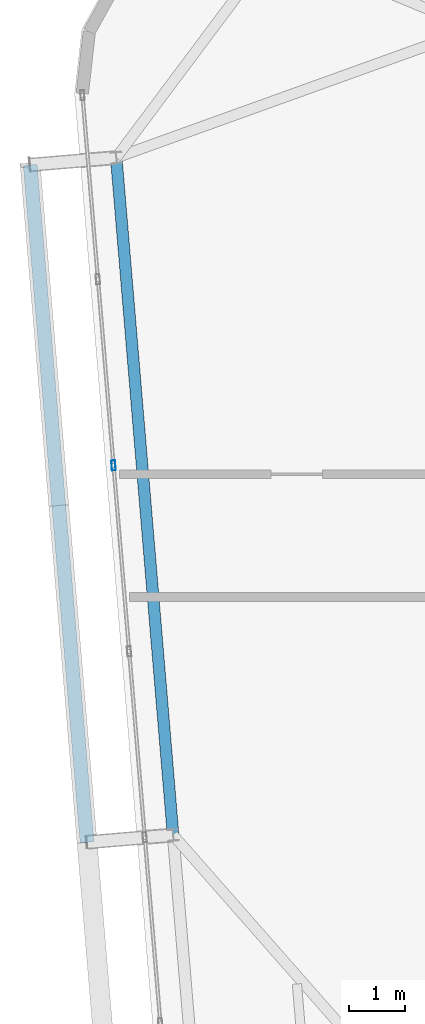
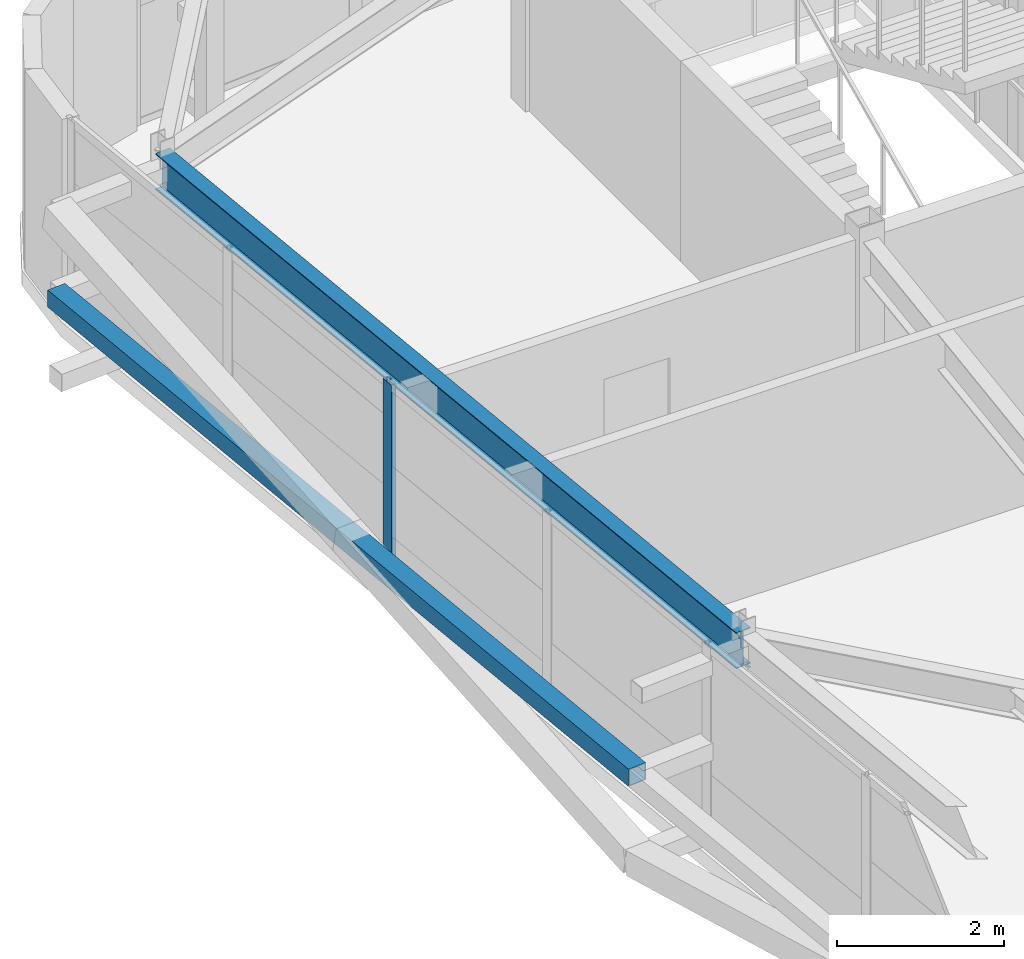
# One storey, part 15 of 46: 2 members, 1 beam, 1 element without a shape of its own.
"""IFC4 building model written with IfcOpenShell, lengths in metres."""

import ifcopenshell
import ifcopenshell.guid

model = None  # the IFC model being written
_history = None  # IfcOwnerHistory: only IFC2X3 demands one
_inside = {}  # id of a spatial element -> (the spatial element, [elements in it])
_under = {}  # id of a project, library or spatial element -> (it, [spatial elements below it])
_declared = {}  # id of a project -> (the project, [libraries it declares])
_typed = {}  # id of a type object -> (the type object, [elements of that type])
_made_of = {}  # id of a material, layer set ... -> (it, [elements and type objects made of it])


def new_model(schema):
    """Start an empty IFC model of exactly this schema.

    Asked for "IFC4X3", IfcOpenShell would pick the latest addendum, in which some entities
    have other attributes; the version numbers below select the first issue.
    IFC2X3 requires an IfcOwnerHistory on every rooted entity: one is made here for all.
    """
    global model, _history
    if schema == "IFC4X3":
        model = ifcopenshell.file(schema_version=(4, 3, 0, 0))
    else:
        model = ifcopenshell.file(schema=schema)
    _inside.clear()
    _under.clear()
    _declared.clear()
    _typed.clear()
    _made_of.clear()
    _history = None
    if model.schema == "IFC2X3":
        org = make("IfcOrganization", Name="unknown")
        user = make(
            "IfcPersonAndOrganization",
            ThePerson=make("IfcPerson", FamilyName="unknown"),
            TheOrganization=org,
        )
        app = make(
            "IfcApplication",
            ApplicationDeveloper=org,
            Version="unknown",
            ApplicationFullName="unknown",
            ApplicationIdentifier="unknown",
        )
        _history = make(
            "IfcOwnerHistory",
            OwningUser=user,
            OwningApplication=app,
            ChangeAction="ADDED",
            CreationDate=0,
        )
    return model


def make(cls, **values):
    """One entity of the class cls with the attributes given. An attribute that is None is left unset."""
    return model.create_entity(
        cls, **{name: value for name, value in values.items() if value is not None}
    )


def rooted(cls, **values):
    """An entity with a GlobalId (a new one), such as an element, a storey or a relation."""
    return make(cls, GlobalId=ifcopenshell.guid.new(), OwnerHistory=_history, **values)


def si_unit(unit_type, name, prefix=None):
    """IfcSIUnit, for example si_unit("LENGTHUNIT", "METRE", prefix="MILLI")."""
    return make("IfcSIUnit", UnitType=unit_type, Prefix=prefix, Name=name)


def assignment(units):
    """IfcUnitAssignment: the units of a project."""
    return None if units is None else make("IfcUnitAssignment", Units=units)


def point(xyz):
    """IfcCartesianPoint."""
    return None if xyz is None else make("IfcCartesianPoint", Coordinates=xyz)


def direction(xyz):
    """IfcDirection."""
    return None if xyz is None else make("IfcDirection", DirectionRatios=xyz)


def frame(location, z_axis=None, x_axis=None):
    """IfcAxis2Placement3D, a coordinate frame: its origin and axes. An axis left out is left unset."""
    return make(
        "IfcAxis2Placement3D",
        Location=point(location),
        Axis=direction(z_axis),
        RefDirection=direction(x_axis),
    )


def frame_2d(location, x_axis=None):
    """IfcAxis2Placement2D, a coordinate frame in the plane: its origin and x axis."""
    return make(
        "IfcAxis2Placement2D", Location=point(location), RefDirection=direction(x_axis)
    )


def origin():
    """The frame at (0, 0, 0) with its axes left unset."""
    return frame((0.0, 0.0, 0.0))


def origin_2d():
    """The frame at (0, 0) in the plane with its x axis left unset."""
    return frame_2d((0.0, 0.0))


def place(relative_to, where):
    """IfcLocalPlacement: puts the frame where relative to a parent placement (None: the world)."""
    return make(
        "IfcLocalPlacement", PlacementRelTo=relative_to, RelativePlacement=where
    )


def context(
    kind, dimensions, precision=None, world=None, true_north=None, identifier=None
):
    """IfcGeometricRepresentationContext, for example the 3D "Model" context."""
    return make(
        "IfcGeometricRepresentationContext",
        ContextIdentifier=identifier,
        ContextType=kind,
        CoordinateSpaceDimension=dimensions,
        Precision=precision,
        WorldCoordinateSystem=world,
        TrueNorth=true_north,
    )


def subcontext(parent, identifier, kind, view, scale=None):
    """IfcGeometricRepresentationSubContext, for example "Body" below "Model"."""
    return make(
        "IfcGeometricRepresentationSubContext",
        ContextIdentifier=identifier,
        ContextType=kind,
        ParentContext=parent,
        TargetScale=scale,
        TargetView=view,
    )


def project(units=None, contexts=None):
    """IfcProject with its units and contexts."""
    return rooted(
        "IfcProject",
        Name="project",
        RepresentationContexts=contexts,
        UnitsInContext=assignment(units),
    )


def spatial(cls, under=None, at=None, **own):
    """A site, building, storey or space (cls), placed at a placement, below another one or the project."""
    s = rooted(cls, ObjectPlacement=at, **own)
    if under is not None:
        _under.setdefault(under.id(), (under, []))[1].append(s)
    return s


def profile(cls, at=None, kind="AREA", **sizes):
    """A parametric profile (cls). Its sizes go by their IFC names, for example OverallWidth=200.0."""
    return make(cls, ProfileType=kind, Position=at, **sizes)


def hollow_rectangle(**sizes):
    """IfcRectangleHollowProfileDef."""
    return profile("IfcRectangleHollowProfileDef", **sizes)


def i_section(**sizes):
    """IfcIShapeProfileDef."""
    return profile("IfcIShapeProfileDef", **sizes)


def extrude(swept, where, along, depth):
    """IfcExtrudedAreaSolid: the profile swept, set in the frame where, extruded along a direction by depth."""
    return make(
        "IfcExtrudedAreaSolid",
        SweptArea=swept,
        Position=where,
        ExtrudedDirection=direction(along),
        Depth=depth,
    )


def shape(context_of_items, identifier, shape_type, items):
    """IfcShapeRepresentation: the items that make up one representation, for example the "Body"."""
    return make(
        "IfcShapeRepresentation",
        ContextOfItems=context_of_items,
        RepresentationIdentifier=identifier,
        RepresentationType=shape_type,
        Items=items,
    )


def source(mapping_origin, context_of_items, identifier, shape_type, items):
    """IfcRepresentationMap: a shape defined once, which mapped items show again and again."""
    return make(
        "IfcRepresentationMap",
        MappingOrigin=mapping_origin,
        MappedRepresentation=shape(context_of_items, identifier, shape_type, items),
    )


def transform(
    local_origin,
    x_axis=None,
    y_axis=None,
    z_axis=None,
    scale=None,
    scale2=None,
    scale3=None,
    uniform=True,
):
    """IfcCartesianTransformationOperator3D, or its non-uniform kind. x_axis, y_axis, z_axis: its Axis1, 2, 3."""
    if uniform:
        return make(
            "IfcCartesianTransformationOperator3D",
            Axis1=direction(x_axis),
            Axis2=direction(y_axis),
            LocalOrigin=point(local_origin),
            Scale=scale,
            Axis3=direction(z_axis),
        )
    return make(
        "IfcCartesianTransformationOperator3DnonUniform",
        Axis1=direction(x_axis),
        Axis2=direction(y_axis),
        LocalOrigin=point(local_origin),
        Scale=scale,
        Axis3=direction(z_axis),
        Scale2=scale2,
        Scale3=scale3,
    )


def mapped(mapping_source, mapping_target):
    """IfcMappedItem: shows the shape of a source again, moved by a transform."""
    return make(
        "IfcMappedItem", MappingSource=mapping_source, MappingTarget=mapping_target
    )


def material(Name=None, Category=None):
    """IfcMaterial."""
    return make("IfcMaterial", Name=Name, Category=Category)


def layer(
    of_material, thickness, ventilated=None, Name=None, Category=None, Priority=None
):
    """IfcMaterialLayer: one layer of a wall or slab, of a material (None: an air gap)."""
    return make(
        "IfcMaterialLayer",
        Material=of_material,
        LayerThickness=thickness,
        IsVentilated=ventilated,
        Name=Name,
        Category=Category,
        Priority=Priority,
    )


def layer_set(layers, Name=None):
    """IfcMaterialLayerSet."""
    return make("IfcMaterialLayerSet", MaterialLayers=layers, LayerSetName=Name)


def material_profile(
    of_material, cross_section, Name=None, Category=None, Priority=None
):
    """IfcMaterialProfile: a cross section and its material."""
    return make(
        "IfcMaterialProfile",
        Name=Name,
        Material=of_material,
        Profile=cross_section,
        Priority=Priority,
        Category=Category,
    )


def profile_set(profiles, Name=None, composite=None):
    """IfcMaterialProfileSet."""
    return make(
        "IfcMaterialProfileSet",
        Name=Name,
        MaterialProfiles=profiles,
        CompositeProfile=composite,
    )


def made_of(thing, what):
    """Note that an element or type object is made of a material, layer set ...; save() writes the relation."""
    if what is not None:
        _made_of.setdefault(what.id(), (what, []))[1].append(thing)
    return thing


def type_object(cls, material=None, **own):
    """A type object (cls), such as IfcWallType, which elements share."""
    return made_of(rooted(cls, **own), material)


def element(
    cls,
    number,
    at=None,
    inside=None,
    cuts=None,
    type_object=None,
    material=None,
    context=None,
    identifier="Body",
    shape_type=None,
    held_by="IfcProductDefinitionShape",
    body=None,
    shapes=None,
    **own,
):
    """One element of the class cls, such as IfcWall. Its Tag is "e" and its number.

    at: its placement. inside: the storey or other place that contains it. cuts: it is an
    opening in that element (IfcRelVoidsElement). A single representation is given by context,
    identifier, shape_type and body (its items); several are given by shapes. held_by: the class
    of the entity that holds the representations. save() writes the other relations.
    """
    e = rooted(cls, Tag="e%d" % number, ObjectPlacement=at, **own)
    if body is not None:
        shapes = [shape(context, identifier, shape_type, body)]
    if shapes is not None:
        e.Representation = make(held_by, Representations=shapes)
    if inside is not None:
        _inside.setdefault(inside.id(), (inside, []))[1].append(e)
    if cuts is not None:
        rooted(
            "IfcRelVoidsElement", RelatingBuildingElement=cuts, RelatedOpeningElement=e
        )
    if type_object is not None:
        _typed.setdefault(type_object.id(), (type_object, []))[1].append(e)
    return made_of(e, material)


def aggregate(whole, parts):
    """IfcRelAggregates: a whole, such as a stair, and the parts it consists of."""
    return rooted("IfcRelAggregates", RelatingObject=whole, RelatedObjects=parts)


def save(model, path):
    """Write the relations noted so far, then the file.

    IfcRelAggregates (storeys below a building ...), IfcRelContainedInSpatialStructure (elements
    in a storey), IfcRelDefinesByType, IfcRelAssociatesMaterial and IfcRelDeclares: one each for
    every whole, place, type object, material and project.
    """
    for whole, parts in _under.values():
        aggregate(whole, parts)
    for where, things in _inside.values():
        rooted(
            "IfcRelContainedInSpatialStructure",
            RelatedElements=things,
            RelatingStructure=where,
        )
    for kind, things in _typed.values():
        rooted("IfcRelDefinesByType", RelatedObjects=things, RelatingType=kind)
    for what, things in _made_of.values():
        rooted("IfcRelAssociatesMaterial", RelatedObjects=things, RelatingMaterial=what)
    for by, libraries in _declared.values():
        rooted("IfcRelDeclares", RelatingContext=by, RelatedDefinitions=libraries)
    model.write(path)


model = new_model("IFC4")

# Units and contexts
model_context = context("Model", 3, precision=1e-05, world=origin(), true_north=direction((0.0, 1.0)))
body_context = subcontext(model_context, "Body", "Model", "MODEL_VIEW")
ifc_project = project(units=[si_unit("LENGTHUNIT", "METRE"), si_unit("AREAUNIT", "SQUARE_METRE"), si_unit("VOLUMEUNIT", "CUBIC_METRE"), si_unit("PLANEANGLEUNIT", "RADIAN"), si_unit("MASSUNIT", "GRAM", prefix="KILO")], contexts=[model_context])

# Site, building, storey
site_placement = place(None, origin())
site = spatial("IfcSite", under=ifc_project, at=site_placement, CompositionType="ELEMENT")
building_placement = place(site_placement, origin())
building = spatial("IfcBuilding", under=site, at=building_placement, Name="Taldren Reach Tower", CompositionType="ELEMENT")
storey_placement = place(building_placement, frame((0.0, 0.0, 188.300048828125)))
storey = spatial("IfcBuildingStorey", under=building, at=storey_placement, Name="L57", CompositionType="ELEMENT", Elevation=188.300048828125)

# Beam
ifc_material_1 = material(Name="Steel Gr 350 (350PLUS)", Category="steel")
ifc_material_profile_1 = material_profile(ifc_material_1, i_section(OverallWidth=0.208984375, OverallDepth=0.528076171875, WebThickness=0.009521484375, FlangeThickness=0.01318359375, at=origin_2d()), Name="530UB82.0")
ifc_profile_set_1 = profile_set([ifc_material_profile_1], Name="Steel Gr 350 (350PLUS)")
beam_type = type_object("IfcBeamType", Name="SP-UB530B", PredefinedType="SPANDREL", material=ifc_profile_set_1)
shared_shape_1 = source(origin(), body_context, "Body", "SweptSolid", [
    extrude(i_section(OverallWidth=0.208984375, OverallDepth=0.528076171875, WebThickness=0.009521484375, FlangeThickness=0.01318359375, at=origin_2d()), origin(), (0.0, 0.0, 1.0), 12.199951171875),
])
beam_placement = place(storey_placement, frame((12.56201171875, 29.682373046875, 2.666015625), z_axis=(0.083668166953, -0.99649367175, 0.0), x_axis=(0.99649367175, 0.083668166953, 0.0)))
element("IfcBeam", 1, at=beam_placement, inside=storey, type_object=beam_type, Name="Perimeter spandrel B4 W3-W2 L57", PredefinedType="SPANDREL", context=body_context, shape_type="MappedRepresentation", body=[
    mapped(shared_shape_1, transform((0.0, 0.0, 0.0), scale=1.0)),
])

# Member
ifc_material_2 = material(Name="Steel Gr 350 (C350L0)", Category="steel")
ifc_material_profile_2 = material_profile(ifc_material_2, hollow_rectangle(XDim=0.25, YDim=0.25, WallThickness=0.010009765625, at=origin_2d()), Name="250x250x10.0SHS")
ifc_profile_set_2 = profile_set([ifc_material_profile_2], Name="Steel Gr 350 (C350L0)")
member_type_1 = type_object("IfcMemberType", Name="MB-POST250", PredefinedType="POST", material=ifc_profile_set_2)
shared_shape_2 = source(origin(), body_context, "Body", "SweptSolid", [
    extrude(hollow_rectangle(XDim=0.25, YDim=0.25, WallThickness=0.010009765625, at=origin_2d()), origin(), (0.0, 0.0, 1.0), 12.199951171875),
])
member_1_placement = place(storey_placement, frame((12.0380859375, 17.3955078125, 1.43505859375), z_axis=(-0.083668166953, 0.99649367175, 0.0), x_axis=(-0.99649367175, -0.083668166953, 0.0)))
element("IfcMember", 2, at=member_1_placement, inside=storey, type_object=member_type_1, Name="Exoskeleton mid-height ring chord B4-W2 L57", PredefinedType="POST", context=body_context, shape_type="MappedRepresentation", body=[
    mapped(shared_shape_2, transform((0.0, 0.0, 0.0), scale=1.0)),
])

# Curtain wall, member
ifc_material_3 = material(Name="Aluminium and Low-E Glass Unitised System", Category="aluminium")
ifc_layer = layer(ifc_material_3, 0.159912109375)
ifc_layer_set = layer_set([ifc_layer], Name="Aluminium and Low-E Glass Unitised System")
curtain_wall_type = type_object("IfcCurtainWallType", Name="CW-SYS-5", PredefinedType="NOTDEFINED", material=ifc_layer_set)
curtain_wall_placement = place(storey_placement, origin())
curtain_wall = element("IfcCurtainWall", 3, at=curtain_wall_placement, inside=storey, type_object=curtain_wall_type, Name="Unitised curtain wall CW-L57-W", PredefinedType="NOTDEFINED")
ifc_material_4 = material(Name="Anodised Aluminium 6063-T6", Category="aluminium")
ifc_material_profile_3 = material_profile(ifc_material_4, hollow_rectangle(XDim=0.070068359375, YDim=0.179931640625, WallThickness=0.00390625, at=origin_2d()), Name="ALU-180x70x4RHS")
ifc_profile_set_3 = profile_set([ifc_material_profile_3], Name="Anodised Aluminium 6063-T6")
member_type_2 = type_object("IfcMemberType", Name="CW-MUL-180", PredefinedType="MULLION", material=ifc_profile_set_3)
shared_shape_3 = source(origin(), body_context, "Body", "SweptSolid", [
    extrude(hollow_rectangle(XDim=0.070068359375, YDim=0.179931640625, WallThickness=0.00390625, at=origin_2d()), origin(), (0.0, 0.0, 1.0), 2.929931640625),
])
member_2_placement = place(storey_placement, frame((12.513916015625, 24.158935546875, 0.0), z_axis=(0.0, 0.0, 1.0), x_axis=(0.996492847789, 0.083677979808, 0.0)))
member_2 = element("IfcMember", 4, at=member_2_placement, type_object=member_type_2, Name="CW-5 mullion 3", PredefinedType="MULLION", context=body_context, shape_type="MappedRepresentation", body=[
    mapped(shared_shape_3, transform((0.0, 0.0, 0.0), scale=1.0)),
])
aggregate(curtain_wall, [member_2])

save(model, "model.ifc")
